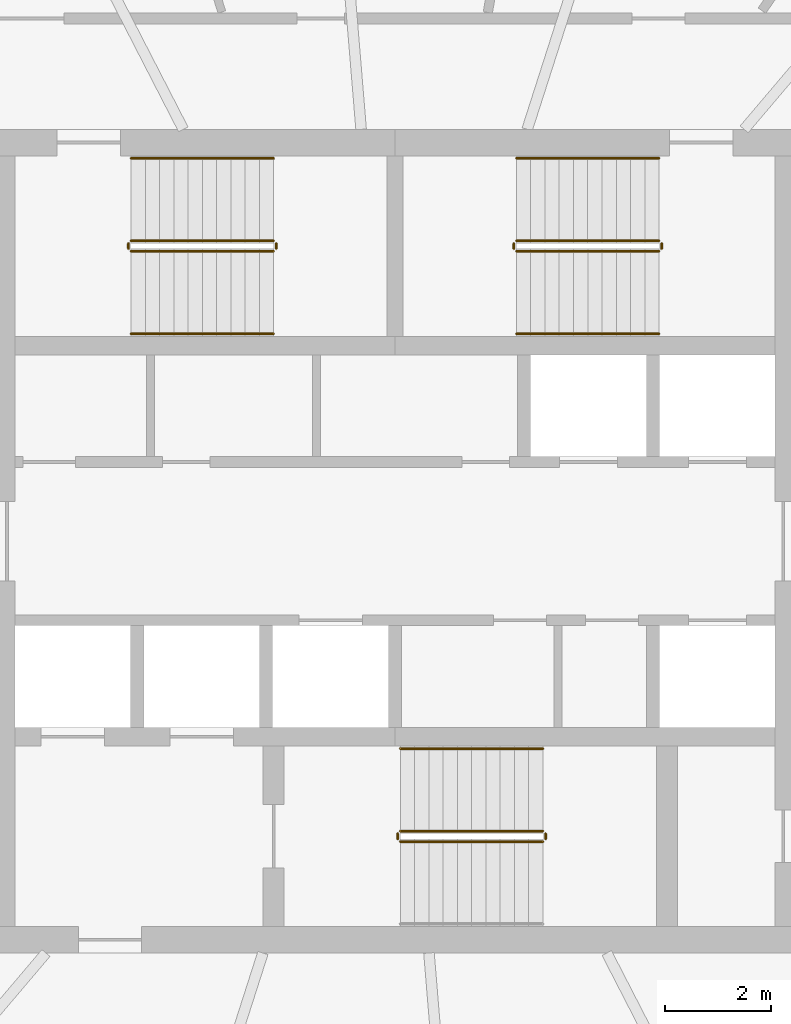
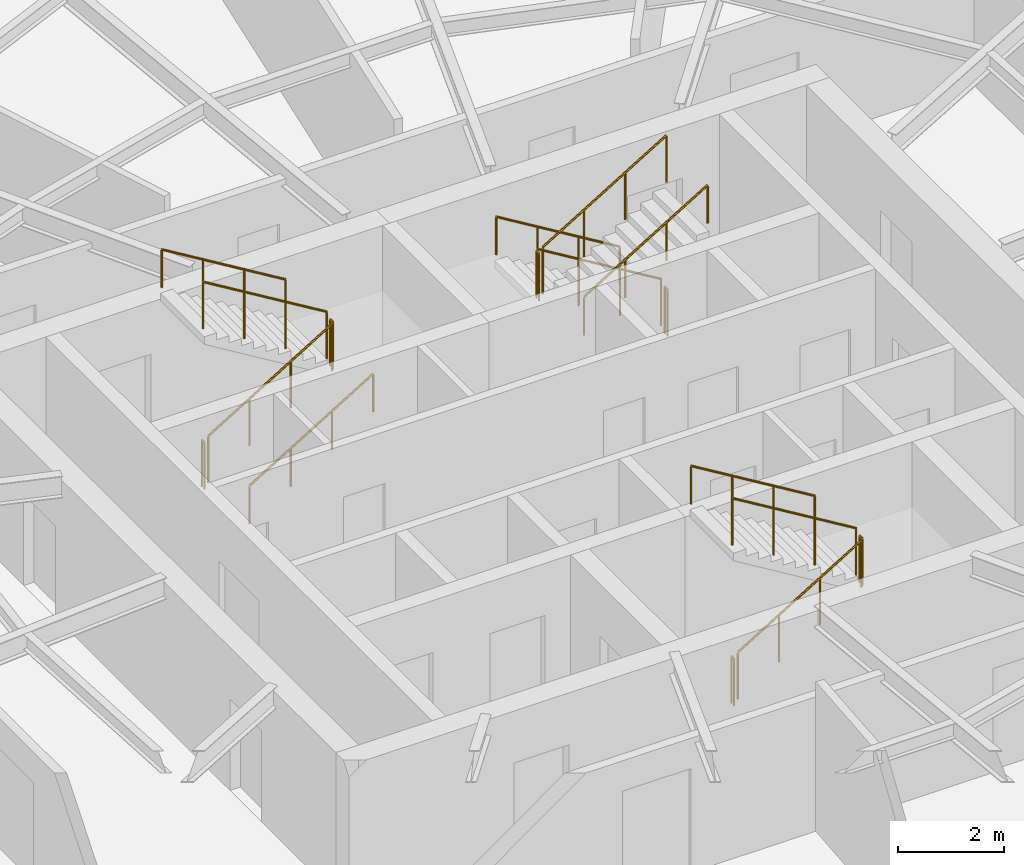
# One storey, part 12 of 13: 17 railings.
"""IFC4 building model written with IfcOpenShell, lengths in metres."""

from ifc_helpers import new_model, si_unit, direction, frame, origin, origin_2d, place, context, subcontext, project, spatial, circle, extrude, material, type_object, element, save


model = new_model("IFC4")

# Units and contexts
model_context = context("Model", 3, precision=1e-05, world=origin(), true_north=direction((0.0, 1.0)))
body_context = subcontext(model_context, "Body", "Model", "MODEL_VIEW")
ifc_project = project(units=[si_unit("LENGTHUNIT", "METRE"), si_unit("AREAUNIT", "SQUARE_METRE"), si_unit("VOLUMEUNIT", "CUBIC_METRE"), si_unit("PLANEANGLEUNIT", "RADIAN"), si_unit("MASSUNIT", "GRAM", prefix="KILO")], contexts=[model_context])

# Site, building, storey
site_placement = place(None, origin())
site = spatial("IfcSite", under=ifc_project, at=site_placement, CompositionType="ELEMENT")
building_placement = place(site_placement, origin())
building = spatial("IfcBuilding", under=site, at=building_placement, Name="Vermilion Reach Broadcast Tower", CompositionType="ELEMENT")
storey_placement = place(building_placement, frame((0.0, 0.0, 279.300048828125)))
storey = spatial("IfcBuildingStorey", under=building, at=storey_placement, Name="L69", CompositionType="ELEMENT", Elevation=279.300048828125)

# Railings
ifc_material_1 = material(Name="Stainless steel", Category="steel")
railing_type_1 = type_object("IfcRailingType", Name="Stair guard 1100", PredefinedType="GUARDRAIL", material=ifc_material_1)
railing_1_placement = place(storey_placement, frame((-11.0, 5.489990234375, 0.16357421875)))
element("IfcRailing", 1, at=railing_1_placement, inside=storey, type_object=railing_type_1, Name="L69 ST1 stair guard 1", PredefinedType="GUARDRAIL", context=body_context, shape_type="SweptSolid", body=[
    extrude(circle(Radius=0.02392578125, at=origin_2d()), frame((0.0, 0.0, 1.076171875), z_axis=(0.855178096276, 0.0, 0.518334277904), x_axis=(0.0, 1.0, 0.0)), (0.0, 0.0, 1.0), 3.1572265625),
    extrude(circle(Radius=0.02099609375, at=origin_2d()), origin(), (0.0, 0.0, 1.0), 1.052001953125),
    extrude(circle(Radius=0.02099609375, at=origin_2d()), frame((0.89990234375, 0.0, 0.54541015625)), (0.0, 0.0, 1.0), 1.052001953125),
    extrude(circle(Radius=0.02099609375, at=origin_2d()), frame((1.800048828125, 0.0, 1.091064453125)), (0.0, 0.0, 1.0), 1.052001953125),
    extrude(circle(Radius=0.02099609375, at=origin_2d()), frame((2.699951171875, 0.0, 1.636474609375)), (0.0, 0.0, 1.0), 1.052001953125),
])
railing_2_placement = place(storey_placement, frame((-8.25, 5.5400390625, 1.800048828125)))
element("IfcRailing", 2, at=railing_2_placement, inside=storey, type_object=railing_type_1, Name="L69 ST1 stair guard 2", PredefinedType="GUARDRAIL", context=body_context, shape_type="SweptSolid", body=[
    extrude(circle(Radius=0.02392578125, at=origin_2d()), frame((0.0, 0.0, 1.076171875), z_axis=(0.0, 1.0, 0.0), x_axis=(-1.0, 0.0, 0.0)), (0.0, 0.0, 1.0), 0.099853515625),
    extrude(circle(Radius=0.02099609375, at=origin_2d()), origin(), (0.0, 0.0, 1.0), 1.052001953125),
    extrude(circle(Radius=0.02099609375, at=origin_2d()), frame((0.0, 0.099853515625, 0.0)), (0.0, 0.0, 1.0), 1.052001953125),
])
railing_3_placement = place(storey_placement, frame((-8.300048828125, 5.68994140625, 1.963623046875)))
element("IfcRailing", 3, at=railing_3_placement, inside=storey, type_object=railing_type_1, Name="L69 ST1 stair guard 3", PredefinedType="GUARDRAIL", context=body_context, shape_type="SweptSolid", body=[
    extrude(circle(Radius=0.02392578125, at=origin_2d()), frame((0.0, 0.0, 1.076171875), z_axis=(-0.855212373127, 0.0, 0.518277721738), x_axis=(0.0, -1.0, 0.0)), (0.0, 0.0, 1.0), 3.156982421875),
    extrude(circle(Radius=0.02099609375, at=origin_2d()), origin(), (0.0, 0.0, 1.0), 1.052001953125),
    extrude(circle(Radius=0.02099609375, at=origin_2d()), frame((-0.89990234375, 0.0, 0.54541015625)), (0.0, 0.0, 1.0), 1.052001953125),
    extrude(circle(Radius=0.02099609375, at=origin_2d()), frame((-1.800048828125, 0.0, 1.0908203125)), (0.0, 0.0, 1.0), 1.052001953125),
    extrude(circle(Radius=0.02099609375, at=origin_2d()), frame((-2.699951171875, 0.0, 1.63623046875)), (0.0, 0.0, 1.0), 1.052001953125),
])
railing_4_placement = place(storey_placement, frame((-11.050048828125, 5.5400390625, 0.0)))
element("IfcRailing", 4, at=railing_4_placement, inside=storey, type_object=railing_type_1, Name="L69 ST1 stair guard 4", PredefinedType="GUARDRAIL", context=body_context, shape_type="SweptSolid", body=[
    extrude(circle(Radius=0.02392578125, at=origin_2d()), frame((0.0, 0.0, 1.076171875), z_axis=(0.0, 1.0, 0.0), x_axis=(-1.0, 0.0, 0.0)), (0.0, 0.0, 1.0), 0.099853515625),
    extrude(circle(Radius=0.02099609375, at=origin_2d()), origin(), (0.0, 0.0, 1.0), 1.052001953125),
    extrude(circle(Radius=0.02099609375, at=origin_2d()), frame((0.0, 0.099853515625, 0.0)), (0.0, 0.0, 1.0), 1.052001953125),
])
railing_5_placement = place(storey_placement, frame((-1.0, 5.68994140625, 0.16357421875)))
element("IfcRailing", 5, at=railing_5_placement, inside=storey, type_object=railing_type_1, Name="L69 ST2 stair guard 1", PredefinedType="GUARDRAIL", context=body_context, shape_type="SweptSolid", body=[
    extrude(circle(Radius=0.02392578125, at=origin_2d()), frame((0.0, 0.0, 1.076171875), z_axis=(-0.855178096276, 0.0, 0.518334277904), x_axis=(0.0, -1.0, 0.0)), (0.0, 0.0, 1.0), 3.1572265625),
    extrude(circle(Radius=0.02099609375, at=origin_2d()), origin(), (0.0, 0.0, 1.0), 1.052001953125),
    extrude(circle(Radius=0.02099609375, at=origin_2d()), frame((-0.89990234375, 0.0, 0.54541015625)), (0.0, 0.0, 1.0), 1.052001953125),
    extrude(circle(Radius=0.02099609375, at=origin_2d()), frame((-1.800048828125, 0.0, 1.091064453125)), (0.0, 0.0, 1.0), 1.052001953125),
    extrude(circle(Radius=0.02099609375, at=origin_2d()), frame((-2.699951171875, 0.0, 1.636474609375)), (0.0, 0.0, 1.0), 1.052001953125),
])
railing_6_placement = place(storey_placement, frame((-3.75, 5.639892578125, 1.800048828125)))
element("IfcRailing", 6, at=railing_6_placement, inside=storey, type_object=railing_type_1, Name="L69 ST2 stair guard 2", PredefinedType="GUARDRAIL", context=body_context, shape_type="SweptSolid", body=[
    extrude(circle(Radius=0.02392578125, at=origin_2d()), frame((0.0, 0.0, 1.076171875), z_axis=(0.0, -1.0, 0.0), x_axis=(1.0, 0.0, 0.0)), (0.0, 0.0, 1.0), 0.099853515625),
    extrude(circle(Radius=0.02099609375, at=origin_2d()), origin(), (0.0, 0.0, 1.0), 1.052001953125),
    extrude(circle(Radius=0.02099609375, at=origin_2d()), frame((0.0, -0.099853515625, 0.0)), (0.0, 0.0, 1.0), 1.052001953125),
])
railing_7_placement = place(storey_placement, frame((-3.699951171875, 5.489990234375, 1.963623046875)))
element("IfcRailing", 7, at=railing_7_placement, inside=storey, type_object=railing_type_1, Name="L69 ST2 stair guard 3", PredefinedType="GUARDRAIL", context=body_context, shape_type="SweptSolid", body=[
    extrude(circle(Radius=0.02392578125, at=origin_2d()), frame((0.0, 0.0, 1.076171875), z_axis=(0.855212373127, 0.0, 0.518277721738), x_axis=(0.0, 1.0, 0.0)), (0.0, 0.0, 1.0), 3.156982421875),
    extrude(circle(Radius=0.02099609375, at=origin_2d()), origin(), (0.0, 0.0, 1.0), 1.052001953125),
    extrude(circle(Radius=0.02099609375, at=origin_2d()), frame((0.89990234375, 0.0, 0.54541015625)), (0.0, 0.0, 1.0), 1.052001953125),
    extrude(circle(Radius=0.02099609375, at=origin_2d()), frame((1.800048828125, 0.0, 1.0908203125)), (0.0, 0.0, 1.0), 1.052001953125),
    extrude(circle(Radius=0.02099609375, at=origin_2d()), frame((2.699951171875, 0.0, 1.63623046875)), (0.0, 0.0, 1.0), 1.052001953125),
])
railing_8_placement = place(storey_placement, frame((-0.949951171875, 5.639892578125, 0.0)))
element("IfcRailing", 8, at=railing_8_placement, inside=storey, type_object=railing_type_1, Name="L69 ST2 stair guard 4", PredefinedType="GUARDRAIL", context=body_context, shape_type="SweptSolid", body=[
    extrude(circle(Radius=0.02392578125, at=origin_2d()), frame((0.0, 0.0, 1.076171875), z_axis=(0.0, -1.0, 0.0), x_axis=(1.0, 0.0, 0.0)), (0.0, 0.0, 1.0), 0.099853515625),
    extrude(circle(Radius=0.02099609375, at=origin_2d()), origin(), (0.0, 0.0, 1.0), 1.052001953125),
    extrude(circle(Radius=0.02099609375, at=origin_2d()), frame((0.0, -0.099853515625, 0.0)), (0.0, 0.0, 1.0), 1.052001953125),
])
railing_9_placement = place(storey_placement, frame((-5.89990234375, -5.68994140625, 0.16357421875)))
element("IfcRailing", 9, at=railing_9_placement, inside=storey, type_object=railing_type_1, Name="L69 ST3 stair guard 1", PredefinedType="GUARDRAIL", context=body_context, shape_type="SweptSolid", body=[
    extrude(circle(Radius=0.02392578125, at=origin_2d()), frame((0.0, 0.0, 1.076171875), z_axis=(0.855178096276, 0.0, 0.518334277904), x_axis=(0.0, 1.0, 0.0)), (0.0, 0.0, 1.0), 3.1572265625),
    extrude(circle(Radius=0.02099609375, at=origin_2d()), origin(), (0.0, 0.0, 1.0), 1.052001953125),
    extrude(circle(Radius=0.02099609375, at=origin_2d()), frame((0.89990234375, 0.0, 0.54541015625)), (0.0, 0.0, 1.0), 1.052001953125),
    extrude(circle(Radius=0.02099609375, at=origin_2d()), frame((1.800048828125, 0.0, 1.091064453125)), (0.0, 0.0, 1.0), 1.052001953125),
    extrude(circle(Radius=0.02099609375, at=origin_2d()), frame((2.699951171875, 0.0, 1.636474609375)), (0.0, 0.0, 1.0), 1.052001953125),
])
railing_10_placement = place(storey_placement, frame((-3.14990234375, -5.639892578125, 1.800048828125)))
element("IfcRailing", 10, at=railing_10_placement, inside=storey, type_object=railing_type_1, Name="L69 ST3 stair guard 2", PredefinedType="GUARDRAIL", context=body_context, shape_type="SweptSolid", body=[
    extrude(circle(Radius=0.02392578125, at=origin_2d()), frame((0.0, 0.0, 1.076171875), z_axis=(0.0, 1.0, 0.0), x_axis=(-1.0, 0.0, 0.0)), (0.0, 0.0, 1.0), 0.099853515625),
    extrude(circle(Radius=0.02099609375, at=origin_2d()), origin(), (0.0, 0.0, 1.0), 1.052001953125),
    extrude(circle(Radius=0.02099609375, at=origin_2d()), frame((0.0, 0.099853515625, 0.0)), (0.0, 0.0, 1.0), 1.052001953125),
])
railing_11_placement = place(storey_placement, frame((-3.199951171875, -5.489990234375, 1.963623046875)))
element("IfcRailing", 11, at=railing_11_placement, inside=storey, type_object=railing_type_1, Name="L69 ST3 stair guard 3", PredefinedType="GUARDRAIL", context=body_context, shape_type="SweptSolid", body=[
    extrude(circle(Radius=0.02392578125, at=origin_2d()), frame((0.0, 0.0, 1.076171875), z_axis=(-0.855212373127, 0.0, 0.518277721738), x_axis=(0.0, -1.0, 0.0)), (0.0, 0.0, 1.0), 3.156982421875),
    extrude(circle(Radius=0.02099609375, at=origin_2d()), origin(), (0.0, 0.0, 1.0), 1.052001953125),
    extrude(circle(Radius=0.02099609375, at=origin_2d()), frame((-0.89990234375, 0.0, 0.54541015625)), (0.0, 0.0, 1.0), 1.052001953125),
    extrude(circle(Radius=0.02099609375, at=origin_2d()), frame((-1.800048828125, 0.0, 1.0908203125)), (0.0, 0.0, 1.0), 1.052001953125),
    extrude(circle(Radius=0.02099609375, at=origin_2d()), frame((-2.699951171875, 0.0, 1.63623046875)), (0.0, 0.0, 1.0), 1.052001953125),
])
railing_12_placement = place(storey_placement, frame((-5.949951171875, -5.639892578125, 0.0)))
element("IfcRailing", 12, at=railing_12_placement, inside=storey, type_object=railing_type_1, Name="L69 ST3 stair guard 4", PredefinedType="GUARDRAIL", context=body_context, shape_type="SweptSolid", body=[
    extrude(circle(Radius=0.02392578125, at=origin_2d()), frame((0.0, 0.0, 1.076171875), z_axis=(0.0, 1.0, 0.0), x_axis=(-1.0, 0.0, 0.0)), (0.0, 0.0, 1.0), 0.099853515625),
    extrude(circle(Radius=0.02099609375, at=origin_2d()), origin(), (0.0, 0.0, 1.0), 1.052001953125),
    extrude(circle(Radius=0.02099609375, at=origin_2d()), frame((0.0, 0.099853515625, 0.0)), (0.0, 0.0, 1.0), 1.052001953125),
])
ifc_material_2 = material(Name="Stainless steel", Category="steel")
railing_type_2 = type_object("IfcRailingType", Name="Stair handrail", PredefinedType="HANDRAIL", material=ifc_material_2)
railing_13_placement = place(storey_placement, frame((-11.0, 3.929931640625, 0.16357421875)))
element("IfcRailing", 13, at=railing_13_placement, inside=storey, type_object=railing_type_2, Name="L69 ST1 stair handrail 1", PredefinedType="HANDRAIL", context=body_context, shape_type="SweptSolid", body=[
    extrude(circle(Radius=0.02392578125, at=origin_2d()), frame((0.0, 0.0, 0.8759765625), z_axis=(0.855178096276, 0.0, 0.518334277904), x_axis=(0.0, 1.0, 0.0)), (0.0, 0.0, 1.0), 3.1572265625),
    extrude(circle(Radius=0.02099609375, at=origin_2d()), origin(), (0.0, 0.0, 1.0), 0.851806640625),
    extrude(circle(Radius=0.02099609375, at=origin_2d()), frame((0.89990234375, 0.0, 0.54541015625)), (0.0, 0.0, 1.0), 0.851806640625),
    extrude(circle(Radius=0.02099609375, at=origin_2d()), frame((1.800048828125, 0.0, 1.091064453125)), (0.0, 0.0, 1.0), 0.851806640625),
    extrude(circle(Radius=0.02099609375, at=origin_2d()), frame((2.699951171875, 0.0, 1.636474609375)), (0.0, 0.0, 1.0), 0.851806640625),
])
railing_14_placement = place(storey_placement, frame((-8.300048828125, 7.25, 1.963623046875)))
element("IfcRailing", 14, at=railing_14_placement, inside=storey, type_object=railing_type_2, Name="L69 ST1 stair handrail 2", PredefinedType="HANDRAIL", context=body_context, shape_type="SweptSolid", body=[
    extrude(circle(Radius=0.02392578125, at=origin_2d()), frame((0.0, 0.0, 0.8759765625), z_axis=(-0.855212373127, 0.0, 0.518277721738), x_axis=(0.0, -1.0, 0.0)), (0.0, 0.0, 1.0), 3.156982421875),
    extrude(circle(Radius=0.02099609375, at=origin_2d()), origin(), (0.0, 0.0, 1.0), 0.851806640625),
    extrude(circle(Radius=0.02099609375, at=origin_2d()), frame((-0.89990234375, 0.0, 0.54541015625)), (0.0, 0.0, 1.0), 0.851806640625),
    extrude(circle(Radius=0.02099609375, at=origin_2d()), frame((-1.800048828125, 0.0, 1.0908203125)), (0.0, 0.0, 1.0), 0.851806640625),
    extrude(circle(Radius=0.02099609375, at=origin_2d()), frame((-2.699951171875, 0.0, 1.63623046875)), (0.0, 0.0, 1.0), 0.851806640625),
])
railing_15_placement = place(storey_placement, frame((-1.0, 7.25, 0.16357421875)))
element("IfcRailing", 15, at=railing_15_placement, inside=storey, type_object=railing_type_2, Name="L69 ST2 stair handrail 1", PredefinedType="HANDRAIL", context=body_context, shape_type="SweptSolid", body=[
    extrude(circle(Radius=0.02392578125, at=origin_2d()), frame((0.0, 0.0, 0.8759765625), z_axis=(-0.855178096276, 0.0, 0.518334277904), x_axis=(0.0, -1.0, 0.0)), (0.0, 0.0, 1.0), 3.1572265625),
    extrude(circle(Radius=0.02099609375, at=origin_2d()), origin(), (0.0, 0.0, 1.0), 0.851806640625),
    extrude(circle(Radius=0.02099609375, at=origin_2d()), frame((-0.89990234375, 0.0, 0.54541015625)), (0.0, 0.0, 1.0), 0.851806640625),
    extrude(circle(Radius=0.02099609375, at=origin_2d()), frame((-1.800048828125, 0.0, 1.091064453125)), (0.0, 0.0, 1.0), 0.851806640625),
    extrude(circle(Radius=0.02099609375, at=origin_2d()), frame((-2.699951171875, 0.0, 1.636474609375)), (0.0, 0.0, 1.0), 0.851806640625),
])
railing_16_placement = place(storey_placement, frame((-3.699951171875, 3.929931640625, 1.963623046875)))
element("IfcRailing", 16, at=railing_16_placement, inside=storey, type_object=railing_type_2, Name="L69 ST2 stair handrail 2", PredefinedType="HANDRAIL", context=body_context, shape_type="SweptSolid", body=[
    extrude(circle(Radius=0.02392578125, at=origin_2d()), frame((0.0, 0.0, 0.8759765625), z_axis=(0.855212373127, 0.0, 0.518277721738), x_axis=(0.0, 1.0, 0.0)), (0.0, 0.0, 1.0), 3.156982421875),
    extrude(circle(Radius=0.02099609375, at=origin_2d()), origin(), (0.0, 0.0, 1.0), 0.851806640625),
    extrude(circle(Radius=0.02099609375, at=origin_2d()), frame((0.89990234375, 0.0, 0.54541015625)), (0.0, 0.0, 1.0), 0.851806640625),
    extrude(circle(Radius=0.02099609375, at=origin_2d()), frame((1.800048828125, 0.0, 1.0908203125)), (0.0, 0.0, 1.0), 0.851806640625),
    extrude(circle(Radius=0.02099609375, at=origin_2d()), frame((2.699951171875, 0.0, 1.63623046875)), (0.0, 0.0, 1.0), 0.851806640625),
])
railing_17_placement = place(storey_placement, frame((-3.199951171875, -3.929931640625, 1.963623046875)))
element("IfcRailing", 17, at=railing_17_placement, inside=storey, type_object=railing_type_2, Name="L69 ST3 stair handrail 2", PredefinedType="HANDRAIL", context=body_context, shape_type="SweptSolid", body=[
    extrude(circle(Radius=0.02392578125, at=origin_2d()), frame((0.0, 0.0, 0.8759765625), z_axis=(-0.855212373127, 0.0, 0.518277721738), x_axis=(0.0, -1.0, 0.0)), (0.0, 0.0, 1.0), 3.156982421875),
    extrude(circle(Radius=0.02099609375, at=origin_2d()), origin(), (0.0, 0.0, 1.0), 0.851806640625),
    extrude(circle(Radius=0.02099609375, at=origin_2d()), frame((-0.89990234375, 0.0, 0.54541015625)), (0.0, 0.0, 1.0), 0.851806640625),
    extrude(circle(Radius=0.02099609375, at=origin_2d()), frame((-1.800048828125, 0.0, 1.0908203125)), (0.0, 0.0, 1.0), 0.851806640625),
    extrude(circle(Radius=0.02099609375, at=origin_2d()), frame((-2.699951171875, 0.0, 1.63623046875)), (0.0, 0.0, 1.0), 0.851806640625),
])

save(model, "model.ifc")
